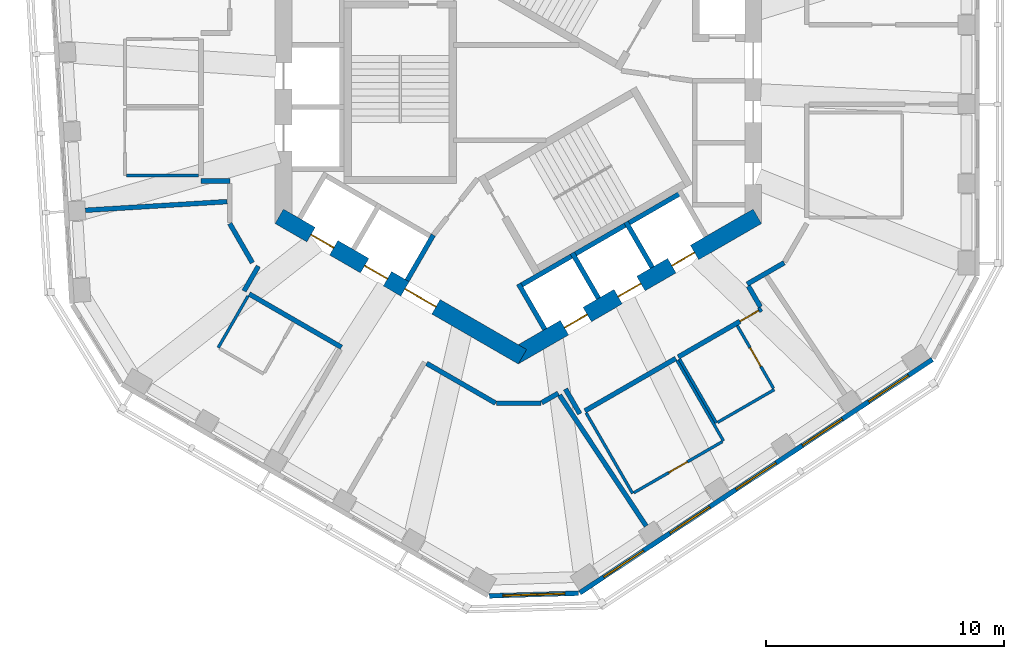
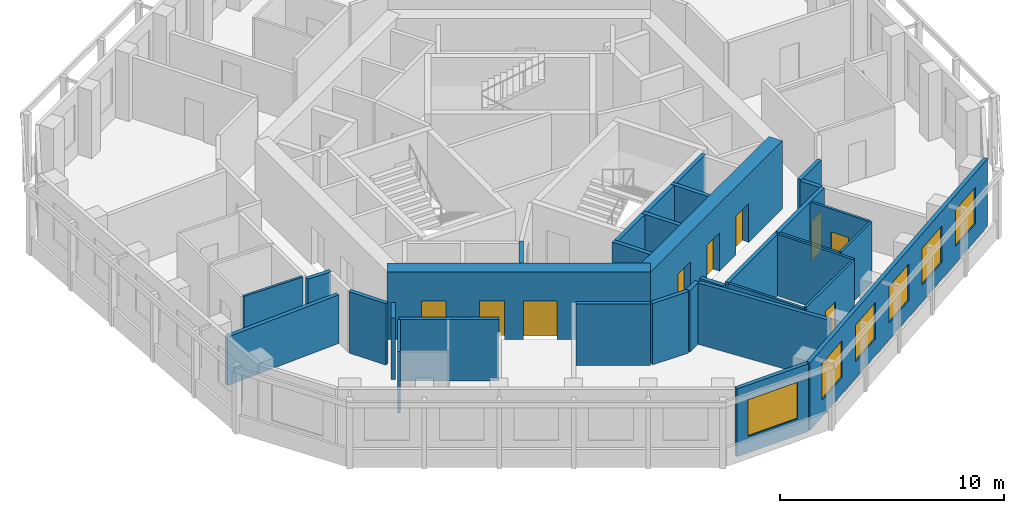
# One storey, part 4 of 11: 31 walls, 9 doors, 6 windows, 15 openings.
"""IFC4 building model written with IfcOpenShell, lengths in metres."""

from ifc_helpers import new_model, si_unit, direction, frame, frame_2d, origin, place, context, subcontext, project, spatial, rectangle, extrude, material, layer, layer_set, type_object, element, fill, save


model = new_model("IFC4")

# Units and contexts
model_context = context("Model", 3, precision=1e-05, world=origin(), true_north=direction((0.0, 1.0)))
body_context = subcontext(model_context, "Body", "Model", "MODEL_VIEW")
ifc_project = project(units=[si_unit("LENGTHUNIT", "METRE"), si_unit("AREAUNIT", "SQUARE_METRE"), si_unit("VOLUMEUNIT", "CUBIC_METRE"), si_unit("PLANEANGLEUNIT", "RADIAN"), si_unit("MASSUNIT", "GRAM", prefix="KILO")], contexts=[model_context])

# Site, building, storey
site_placement = place(None, origin())
site = spatial("IfcSite", under=ifc_project, at=site_placement, CompositionType="ELEMENT")
building_placement = place(site_placement, origin())
building = spatial("IfcBuilding", under=site, at=building_placement, Name="Vanh Sen Convention Tower", CompositionType="ELEMENT")
storey_placement = place(building_placement, frame((0.0, 0.0, 274.60009765625)))
storey = spatial("IfcBuildingStorey", under=building, at=storey_placement, Name="L68", CompositionType="ELEMENT", Elevation=274.60009765625)

# Walls
ifc_material_1 = material(Name="Moisture-resistant gypsum board on steel studs", Category="steel")
ifc_layer_1 = layer(ifc_material_1, 0.1201171875)
ifc_layer_set_1 = layer_set([ifc_layer_1], Name="Moisture-resistant gypsum board on steel studs")
wall_type_1 = type_object("IfcWallType", Name="Bathroom partition 120", PredefinedType="PARTITIONING", material=ifc_layer_set_1)
wall_1_placement = place(storey_placement, frame((-13.40087890625, -3.868896484375, 0.0), z_axis=(0.0, 0.0, 1.0), x_axis=(-1.0, 0.0, 0.0)))
element("IfcWall", 1, at=wall_1_placement, inside=storey, type_object=wall_type_1, Name="Bathroom partition 120", PredefinedType="PARTITIONING", context=body_context, shape_type="SweptSolid", body=[
    extrude(rectangle(XDim=3.0400390625, YDim=0.1201171875, at=frame_2d((1.52001953125, 0.0))), origin(), (0.0, 0.0, 1.0), 3.349853515625),
])
wall_2_placement = place(storey_placement, frame((-12.584716796875, -11.09521484375, 0.0), z_axis=(0.0, 0.0, 1.0), x_axis=(0.500004234368, 0.866022959057, 0.0)))
element("IfcWall", 2, at=wall_2_placement, inside=storey, type_object=wall_type_1, Name="Bathroom partition 120", PredefinedType="PARTITIONING", context=body_context, shape_type="SweptSolid", body=[
    extrude(rectangle(XDim=2.5, YDim=0.1201171875, at=frame_2d((1.25, 0.0))), origin(), (0.0, 0.0, 1.0), 3.349853515625),
])
wall_3_placement = place(storey_placement, frame((4.7958984375, -17.20849609375, 0.0), z_axis=(0.0, 0.0, 1.0), x_axis=(-0.500043961785, 0.866000020948, 0.0)))
element("IfcWall", 3, at=wall_3_placement, inside=storey, type_object=wall_type_1, Name="Bathroom partition 120", PredefinedType="PARTITIONING", context=body_context, shape_type="SweptSolid", body=[
    extrude(rectangle(XDim=3.900146484375, YDim=0.1201171875, at=frame_2d((1.9501953125, 0.0))), origin(), (0.0, 0.0, 1.0), 3.349853515625),
])
wall_4_placement = place(storey_placement, frame((6.65625, -11.631103515625, 0.0), z_axis=(0.0, 0.0, 1.0), x_axis=(0.499997012787, -0.866027128446, 0.0)))
element("IfcWall", 4, at=wall_4_placement, inside=storey, type_object=wall_type_1, Name="Bathroom partition 120", PredefinedType="PARTITIONING", context=body_context, shape_type="SweptSolid", body=[
    extrude(rectangle(XDim=3.89990234375, YDim=0.1201171875, at=frame_2d((1.949951171875, 0.0))), origin(), (0.0, 0.0, 1.0), 3.349853515625),
])
wall_5_placement = place(storey_placement, frame((8.310302734375, -14.255859375, 0.0), z_axis=(0.0, 0.0, 1.0), x_axis=(-0.49999285859, 0.86602952684, 0.0)))
element("IfcWall", 5, at=wall_5_placement, inside=storey, type_object=wall_type_1, Name="Bathroom partition 120", PredefinedType="PARTITIONING", context=body_context, shape_type="SweptSolid", body=[
    extrude(rectangle(XDim=3.10009765625, YDim=0.1201171875, at=frame_2d((1.550048828125, 0.0))), origin(), (0.0, 0.0, 1.0), 3.349853515625),
])

# Wall, opening, door
wall_6_placement = place(storey_placement, frame((8.55419921875, -15.03857421875, 0.0), z_axis=(0.0, 0.0, 1.0), x_axis=(-0.865994635417, -0.500053288589, 0.0)))
wall_6 = element("IfcWall", 6, at=wall_6_placement, inside=storey, type_object=wall_type_1, Name="Bathroom partition 120", PredefinedType="PARTITIONING", context=body_context, shape_type="SweptSolid", body=[
    extrude(rectangle(XDim=4.27978515625, YDim=0.1201171875, at=frame_2d((2.139892578125, 0.0))), origin(), (0.0, 0.0, 1.0), 3.349853515625),
])
opening_1_placement = place(wall_6_placement, frame((1.68994140625, 0.0, 0.0)))
opening_1 = element("IfcOpeningElement", 7, at=opening_1_placement, cuts=wall_6, Name="Opening D67116", PredefinedType="OPENING", context=body_context, shape_type="SweptSolid", body=[
    extrude(rectangle(XDim=0.89990234375, YDim=2.10009765625, at=frame_2d((0.449951171875, 1.050048828125))), frame((0.0, 0.070068359375, 0.0), z_axis=(0.0, -1.0, 0.0), x_axis=(1.0, 0.0, 0.0)), (0.0, 0.0, 1.0), 0.14013671875),
])
ifc_material_2 = material(Name="Laminate door in steel frame", Category="steel")
door_type_1 = type_object("IfcDoorType", Name="Room internal door 900", OperationType="SINGLE_SWING_LEFT", PredefinedType="DOOR", material=ifc_material_2)
door_1_placement = place(opening_1_placement, origin())
door_1 = element("IfcDoor", 8, at=door_1_placement, inside=storey, type_object=door_type_1, Name="Internal room door D67116", OperationType="SINGLE_SWING_LEFT", OverallHeight=2.10009765625, OverallWidth=0.89990234375, PredefinedType="DOOR", context=body_context, shape_type="SweptSolid", body=[
    extrude(rectangle(XDim=0.89990234375, YDim=2.10009765625, at=frame_2d((0.449951171875, 1.050048828125))), frame((0.0, 0.02490234375, 0.0), z_axis=(0.0, -1.0, 0.0), x_axis=(1.0, 0.0, 0.0)), (0.0, 0.0, 1.0), 0.050048828125),
])
fill(opening_1, door_1)

wall_7_placement = place(storey_placement, frame((10.705078125, -12.8037109375, 0.0), z_axis=(0.0, 0.0, 1.0), x_axis=(-0.500026023896, 0.86601037836, 0.0)))
wall_7 = element("IfcWall", 9, at=wall_7_placement, inside=storey, type_object=wall_type_1, Name="Bathroom partition 120", PredefinedType="PARTITIONING", context=body_context, shape_type="SweptSolid", body=[
    extrude(rectangle(XDim=3.039794921875, YDim=0.1201171875, at=frame_2d((1.52001953125, 0.0))), origin(), (0.0, 0.0, 1.0), 3.349853515625),
])
opening_2_placement = place(wall_7_placement, frame((1.070068359375, 0.0, 0.0)))
opening_2 = element("IfcOpeningElement", 10, at=opening_2_placement, cuts=wall_7, Name="Opening D67117", PredefinedType="OPENING", context=body_context, shape_type="SweptSolid", body=[
    extrude(rectangle(XDim=0.89990234375, YDim=2.10009765625, at=frame_2d((0.449951171875, 1.050048828125))), frame((0.0, 0.070068359375, 0.0), z_axis=(0.0, -1.0, 0.0), x_axis=(1.0, 0.0, 0.0)), (0.0, 0.0, 1.0), 0.14013671875),
])
door_2_placement = place(opening_2_placement, origin())
door_2 = element("IfcDoor", 11, at=door_2_placement, inside=storey, type_object=door_type_1, Name="Internal room door D67117", OperationType="SINGLE_SWING_LEFT", OverallHeight=2.10009765625, OverallWidth=0.89990234375, PredefinedType="DOOR", context=body_context, shape_type="SweptSolid", body=[
    extrude(rectangle(XDim=0.89990234375, YDim=2.10009765625, at=frame_2d((0.449951171875, 1.050048828125))), frame((0.0, 0.02490234375, 0.0), z_axis=(0.0, -1.0, 0.0), x_axis=(1.0, 0.0, 0.0)), (0.0, 0.0, 1.0), 0.050048828125),
])
fill(opening_2, door_2)

# Wall
wall_8_placement = place(storey_placement, frame((10.735107421875, -12.855712890625, 0.0), z_axis=(0.0, 0.0, 1.0), x_axis=(-0.865997131366, -0.500048966069, 0.0)))
element("IfcWall", 12, at=wall_8_placement, inside=storey, type_object=wall_type_1, Name="Bathroom partition 120", PredefinedType="PARTITIONING", context=body_context, shape_type="SweptSolid", body=[
    extrude(rectangle(XDim=2.739990234375, YDim=0.1201171875, at=frame_2d((1.3701171875, 0.0))), origin(), (0.0, 0.0, 1.0), 3.349853515625),
])

# Wall, openings, doors
ifc_material_3 = material(Name="Concrete C60/75", Category="concrete")
ifc_layer_2 = layer(ifc_material_3, 0.699951171875)
ifc_layer_set_2 = layer_set([ifc_layer_2], Name="Concrete C60/75")
wall_type_2 = type_object("IfcWallType", Name="Core outer wall 700 C60/75", PredefinedType="SHEAR", material=ifc_layer_set_2)
wall_9_placement = place(storey_placement, frame((-10.02490234375, -5.5859375, 0.0), z_axis=(0.0, 0.0, 1.0), x_axis=(0.866026453023, -0.499998182661, 0.0)))
wall_9 = element("IfcWall", 13, at=wall_9_placement, inside=storey, type_object=wall_type_2, Name="Core wall face SW L68", PredefinedType="SHEAR", context=body_context, shape_type="SweptSolid", body=[
    extrude(rectangle(XDim=11.77783203125, YDim=0.699951171875, at=frame_2d((5.888916015625, 0.0))), origin(), (0.0, 0.0, 1.0), 3.699951171875),
])
opening_3_placement = place(wall_9_placement, frame((6.089111328125, 0.0, 0.0)))
opening_3 = element("IfcOpeningElement", 14, at=opening_3_placement, cuts=wall_9, Name="Opening D67003", PredefinedType="OPENING", context=body_context, shape_type="SweptSolid", body=[
    extrude(rectangle(XDim=1.5, YDim=2.10009765625, at=frame_2d((0.75, 1.050048828125))), frame((0.0, 0.35986328125, 0.0), z_axis=(0.0, -1.0, 0.0), x_axis=(1.0, 0.0, 0.0)), (0.0, 0.0, 1.0), 0.719970703125),
])
opening_4_placement = place(wall_9_placement, frame((1.5390625, 0.0, 0.0)))
opening_4 = element("IfcOpeningElement", 15, at=opening_4_placement, cuts=wall_9, Name="Opening LD-HR3", PredefinedType="OPENING", context=body_context, shape_type="SweptSolid", body=[
    extrude(rectangle(XDim=1.10009765625, YDim=2.10009765625, at=frame_2d((0.550048828125, 1.050048828125))), frame((0.0, 0.35986328125, 0.0), z_axis=(0.0, -1.0, 0.0), x_axis=(1.0, 0.0, 0.0)), (0.0, 0.0, 1.0), 0.719970703125),
])
opening_5_placement = place(wall_9_placement, frame((4.138916015625, 0.0, 0.0)))
opening_5 = element("IfcOpeningElement", 16, at=opening_5_placement, cuts=wall_9, Name="Opening LD-HR4", PredefinedType="OPENING", context=body_context, shape_type="SweptSolid", body=[
    extrude(rectangle(XDim=1.10009765625, YDim=2.10009765625, at=frame_2d((0.550048828125, 1.050048828125))), frame((0.0, 0.35986328125, 0.0), z_axis=(0.0, -1.0, 0.0), x_axis=(1.0, 0.0, 0.0)), (0.0, 0.0, 1.0), 0.719970703125),
])
ifc_material_4 = material(Name="Stainless steel", Category="steel")
door_type_2 = type_object("IfcDoorType", Name="Lift landing door 1100", OperationType="DOUBLE_DOOR_SLIDING", PredefinedType="DOOR", material=ifc_material_4)
door_3_placement = place(opening_4_placement, origin())
door_3 = element("IfcDoor", 17, at=door_3_placement, inside=storey, type_object=door_type_2, Name="Lift HR3 landing door LD-HR3", OperationType="DOUBLE_DOOR_SLIDING", OverallHeight=2.10009765625, OverallWidth=1.10009765625, PredefinedType="DOOR", context=body_context, shape_type="SweptSolid", body=[
    extrude(rectangle(XDim=1.10009765625, YDim=2.10009765625, at=frame_2d((0.550048828125, 1.050048828125))), frame((0.0, 0.02490234375, 0.0), z_axis=(0.0, -1.0, 0.0), x_axis=(1.0, 0.0, 0.0)), (0.0, 0.0, 1.0), 0.050048828125),
])
fill(opening_4, door_3)
door_4_placement = place(opening_5_placement, origin())
door_4 = element("IfcDoor", 18, at=door_4_placement, inside=storey, type_object=door_type_2, Name="Lift HR4 landing door LD-HR4", OperationType="DOUBLE_DOOR_SLIDING", OverallHeight=2.10009765625, OverallWidth=1.10009765625, PredefinedType="DOOR", context=body_context, shape_type="SweptSolid", body=[
    extrude(rectangle(XDim=1.10009765625, YDim=2.10009765625, at=frame_2d((0.550048828125, 1.050048828125))), frame((0.0, 0.02490234375, 0.0), z_axis=(0.0, -1.0, 0.0), x_axis=(1.0, 0.0, 0.0)), (0.0, 0.0, 1.0), 0.050048828125),
])
fill(opening_5, door_4)
ifc_material_5 = material(Name="Steel S355", Category="steel")
door_type_3 = type_object("IfcDoorType", Name="Stair lobby door 1500", OperationType="DOUBLE_DOOR_SINGLE_SWING", PredefinedType="DOOR", material=ifc_material_5)
door_5_placement = place(opening_3_placement, origin())
door_5 = element("IfcDoor", 19, at=door_5_placement, inside=storey, type_object=door_type_3, Name="Stair lobby door D67003", OperationType="DOUBLE_DOOR_SINGLE_SWING", OverallHeight=2.10009765625, OverallWidth=1.5, PredefinedType="DOOR", context=body_context, shape_type="SweptSolid", body=[
    extrude(rectangle(XDim=1.5, YDim=2.10009765625, at=frame_2d((0.75, 1.050048828125))), frame((0.0, 0.02490234375, 0.0), z_axis=(0.0, -1.0, 0.0), x_axis=(1.0, 0.0, 0.0)), (0.0, 0.0, 1.0), 0.050048828125),
])
fill(opening_3, door_5)

wall_10_placement = place(storey_placement, frame((-0.175048828125, -11.474853515625, 0.0), z_axis=(0.0, 0.0, 1.0), x_axis=(0.866026453023, 0.499998182661, 0.0)))
wall_10 = element("IfcWall", 20, at=wall_10_placement, inside=storey, type_object=wall_type_2, Name="Core wall face SE L68", PredefinedType="SHEAR", context=body_context, shape_type="SweptSolid", body=[
    extrude(rectangle(XDim=11.77783203125, YDim=0.699951171875, at=frame_2d((5.888916015625, 0.0))), origin(), (0.0, 0.0, 1.0), 3.699951171875),
])
opening_6_placement = place(wall_10_placement, frame((2.43896484375, 0.0, 0.0)))
opening_6 = element("IfcOpeningElement", 21, at=opening_6_placement, cuts=wall_10, Name="Opening LD-HR5", PredefinedType="OPENING", context=body_context, shape_type="SweptSolid", body=[
    extrude(rectangle(XDim=1.10009765625, YDim=2.10009765625, at=frame_2d((0.550048828125, 1.050048828125))), frame((0.0, 0.35986328125, 0.0), z_axis=(0.0, -1.0, 0.0), x_axis=(1.0, 0.0, 0.0)), (0.0, 0.0, 1.0), 0.719970703125),
])
opening_7_placement = place(wall_10_placement, frame((5.0390625, 0.0, 0.0)))
opening_7 = element("IfcOpeningElement", 22, at=opening_7_placement, cuts=wall_10, Name="Opening LD-HR6", PredefinedType="OPENING", context=body_context, shape_type="SweptSolid", body=[
    extrude(rectangle(XDim=1.10009765625, YDim=2.10009765625, at=frame_2d((0.550048828125, 1.050048828125))), frame((0.0, 0.35986328125, 0.0), z_axis=(0.0, -1.0, 0.0), x_axis=(1.0, 0.0, 0.0)), (0.0, 0.0, 1.0), 0.719970703125),
])
opening_8_placement = place(wall_10_placement, frame((7.638916015625, 0.0, 0.0)))
opening_8 = element("IfcOpeningElement", 23, at=opening_8_placement, cuts=wall_10, Name="Opening LD-SV1", PredefinedType="OPENING", context=body_context, shape_type="SweptSolid", body=[
    extrude(rectangle(XDim=1.10009765625, YDim=2.10009765625, at=frame_2d((0.550048828125, 1.050048828125))), frame((0.0, 0.35986328125, 0.0), z_axis=(0.0, -1.0, 0.0), x_axis=(1.0, 0.0, 0.0)), (0.0, 0.0, 1.0), 0.719970703125),
])
door_6_placement = place(opening_6_placement, origin())
door_6 = element("IfcDoor", 24, at=door_6_placement, inside=storey, type_object=door_type_2, Name="Lift HR5 landing door LD-HR5", OperationType="DOUBLE_DOOR_SLIDING", OverallHeight=2.10009765625, OverallWidth=1.10009765625, PredefinedType="DOOR", context=body_context, shape_type="SweptSolid", body=[
    extrude(rectangle(XDim=1.10009765625, YDim=2.10009765625, at=frame_2d((0.550048828125, 1.050048828125))), frame((0.0, 0.02490234375, 0.0), z_axis=(0.0, -1.0, 0.0), x_axis=(1.0, 0.0, 0.0)), (0.0, 0.0, 1.0), 0.050048828125),
])
fill(opening_6, door_6)
door_7_placement = place(opening_7_placement, origin())
door_7 = element("IfcDoor", 25, at=door_7_placement, inside=storey, type_object=door_type_2, Name="Lift HR6 landing door LD-HR6", OperationType="DOUBLE_DOOR_SLIDING", OverallHeight=2.10009765625, OverallWidth=1.10009765625, PredefinedType="DOOR", context=body_context, shape_type="SweptSolid", body=[
    extrude(rectangle(XDim=1.10009765625, YDim=2.10009765625, at=frame_2d((0.550048828125, 1.050048828125))), frame((0.0, 0.02490234375, 0.0), z_axis=(0.0, -1.0, 0.0), x_axis=(1.0, 0.0, 0.0)), (0.0, 0.0, 1.0), 0.050048828125),
])
fill(opening_7, door_7)
door_8_placement = place(opening_8_placement, origin())
door_8 = element("IfcDoor", 26, at=door_8_placement, inside=storey, type_object=door_type_2, Name="Lift SV1 landing door LD-SV1", OperationType="DOUBLE_DOOR_SLIDING", OverallHeight=2.10009765625, OverallWidth=1.10009765625, PredefinedType="DOOR", context=body_context, shape_type="SweptSolid", body=[
    extrude(rectangle(XDim=1.10009765625, YDim=2.10009765625, at=frame_2d((0.550048828125, 1.050048828125))), frame((0.0, 0.02490234375, 0.0), z_axis=(0.0, -1.0, 0.0), x_axis=(1.0, 0.0, 0.0)), (0.0, 0.0, 1.0), 0.050048828125),
])
fill(opening_8, door_8)

# Walls
ifc_material_6 = material(Name="Gypsum board on steel studs with mineral wool", Category="steel")
ifc_layer_3 = layer(ifc_material_6, 0.199951171875)
ifc_layer_set_3 = layer_set([ifc_layer_3], Name="Gypsum board on steel studs with mineral wool")
wall_type_3 = type_object("IfcWallType", Name="Corridor partition wall 200", PredefinedType="PARTITIONING", material=ifc_layer_set_3)
wall_11_placement = place(storey_placement, frame((-13.301025390625, -4.10107421875, 0.0), z_axis=(0.0, 0.0, 1.0), x_axis=(1.0, 0.0, 0.0)))
element("IfcWall", 27, at=wall_11_placement, inside=storey, type_object=wall_type_3, Name="Corridor partition wall 200", PredefinedType="PARTITIONING", context=body_context, shape_type="SweptSolid", body=[
    extrude(rectangle(XDim=1.200927734375, YDim=0.199951171875, at=frame_2d((0.6005859375, 0.0))), origin(), (0.0, 0.0, 1.0), 3.349853515625),
])
wall_12_placement = place(storey_placement, frame((-12.10009765625, -5.888916015625, 0.0), z_axis=(0.0, 0.0, 1.0), x_axis=(0.500063520245, -0.865988727248, 0.0)))
element("IfcWall", 28, at=wall_12_placement, inside=storey, type_object=wall_type_3, Name="Corridor partition wall 200", PredefinedType="PARTITIONING", context=body_context, shape_type="SweptSolid", body=[
    extrude(rectangle(XDim=1.900146484375, YDim=0.199951171875, at=frame_2d((0.9501953125, 0.0))), origin(), (0.0, 0.0, 1.0), 3.349853515625),
])
wall_13_placement = place(storey_placement, frame((-11.28466796875, -8.843505859375, 0.0), z_axis=(0.0, 0.0, 1.0), x_axis=(0.866021785011, -0.500006267848, 0.0)))
element("IfcWall", 29, at=wall_13_placement, inside=storey, type_object=wall_type_3, Name="Corridor partition wall 200", PredefinedType="PARTITIONING", context=body_context, shape_type="SweptSolid", body=[
    extrude(rectangle(XDim=4.4677734375, YDim=0.199951171875, at=frame_2d((2.23388671875, 0.0))), origin(), (0.0, 0.0, 1.0), 3.349853515625),
])
wall_14_placement = place(storey_placement, frame((-10.900634765625, -7.678466796875, 0.0), z_axis=(0.0, 0.0, 1.0), x_axis=(-0.500074377092, -0.865982457891, 0.0)))
element("IfcWall", 30, at=wall_14_placement, inside=storey, type_object=wall_type_3, Name="Corridor partition wall 200", PredefinedType="PARTITIONING", context=body_context, shape_type="SweptSolid", body=[
    extrude(rectangle(XDim=1.200927734375, YDim=0.199951171875, at=frame_2d((0.6005859375, 0.0))), origin(), (0.0, 0.0, 1.0), 3.349853515625),
])
wall_15_placement = place(storey_placement, frame((-3.84326171875, -11.7529296875, 0.0), z_axis=(0.0, 0.0, 1.0), x_axis=(0.866031037473, -0.499990242038, 0.0)))
element("IfcWall", 31, at=wall_15_placement, inside=storey, type_object=wall_type_3, Name="Corridor partition wall 200", PredefinedType="PARTITIONING", context=body_context, shape_type="SweptSolid", body=[
    extrude(rectangle(XDim=3.3408203125, YDim=0.199951171875, at=frame_2d((1.67041015625, 0.0))), origin(), (0.0, 0.0, 1.0), 3.349853515625),
])
wall_16_placement = place(storey_placement, frame((-0.909912109375, -13.42333984375, 0.0), z_axis=(0.0, 0.0, 1.0), x_axis=(1.0, 0.0, 0.0)))
element("IfcWall", 32, at=wall_16_placement, inside=storey, type_object=wall_type_3, Name="Corridor partition wall 200", PredefinedType="PARTITIONING", context=body_context, shape_type="SweptSolid", body=[
    extrude(rectangle(XDim=1.85986328125, YDim=0.199951171875, at=frame_2d((0.929931640625, 0.0))), origin(), (0.0, 0.0, 1.0), 3.349853515625),
])
wall_17_placement = place(storey_placement, frame((0.984619140625, -13.4033203125, 0.0), z_axis=(0.0, 0.0, 1.0), x_axis=(0.866032814021, 0.499987164874, 0.0)))
element("IfcWall", 33, at=wall_17_placement, inside=storey, type_object=wall_type_3, Name="Corridor partition wall 200", PredefinedType="PARTITIONING", context=body_context, shape_type="SweptSolid", body=[
    extrude(rectangle(XDim=0.79833984375, YDim=0.199951171875, at=frame_2d((0.399169921875, 0.0))), origin(), (0.0, 0.0, 1.0), 3.349853515625),
])
wall_18_placement = place(storey_placement, frame((1.978759765625, -12.829345703125, 0.0), z_axis=(0.0, 0.0, 1.0), x_axis=(0.500074377092, -0.865982457891, 0.0)))
element("IfcWall", 34, at=wall_18_placement, inside=storey, type_object=wall_type_3, Name="Corridor partition wall 200", PredefinedType="PARTITIONING", context=body_context, shape_type="SweptSolid", body=[
    extrude(rectangle(XDim=1.200927734375, YDim=0.199951171875, at=frame_2d((0.6005859375, 0.0))), origin(), (0.0, 0.0, 1.0), 3.349853515625),
])
wall_19_placement = place(storey_placement, frame((2.7958984375, -13.744384765625, 0.0), z_axis=(0.0, 0.0, 1.0), x_axis=(0.866018331238, 0.50001224981, 0.0)))
element("IfcWall", 35, at=wall_19_placement, inside=storey, type_object=wall_type_3, Name="Corridor partition wall 200", PredefinedType="PARTITIONING", context=body_context, shape_type="SweptSolid", body=[
    extrude(rectangle(XDim=4.39990234375, YDim=0.199951171875, at=frame_2d((2.199951171875, 0.0))), origin(), (0.0, 0.0, 1.0), 3.349853515625),
])

# Wall, opening, door
wall_20_placement = place(storey_placement, frame((6.710205078125, -11.484619140625, 0.0), z_axis=(0.0, 0.0, 1.0), x_axis=(0.866021232452, 0.500007224889, 0.0)))
wall_20 = element("IfcWall", 36, at=wall_20_placement, inside=storey, type_object=wall_type_3, Name="Corridor partition wall 200", PredefinedType="PARTITIONING", context=body_context, shape_type="SweptSolid", body=[
    extrude(rectangle(XDim=4.0322265625, YDim=0.199951171875, at=frame_2d((2.01611328125, 0.0))), origin(), (0.0, 0.0, 1.0), 3.349853515625),
])
opening_9_placement = place(wall_20_placement, frame((2.990966796875, 0.0, 0.0)))
opening_9 = element("IfcOpeningElement", 37, at=opening_9_placement, cuts=wall_20, Name="Opening D67115", PredefinedType="OPENING", context=body_context, shape_type="SweptSolid", body=[
    extrude(rectangle(XDim=0.89990234375, YDim=2.10009765625, at=frame_2d((0.449951171875, 1.050048828125))), frame((0.0, 0.10986328125, 0.0), z_axis=(0.0, -1.0, 0.0), x_axis=(1.0, 0.0, 0.0)), (0.0, 0.0, 1.0), 0.219970703125),
])
ifc_material_7 = material(Name="Glazed fire door in steel frame", Category="steel")
door_type_4 = type_object("IfcDoorType", Name="Tenant entrance door 900", OperationType="SINGLE_SWING_LEFT", PredefinedType="DOOR", material=ifc_material_7)
door_9_placement = place(opening_9_placement, origin())
door_9 = element("IfcDoor", 38, at=door_9_placement, inside=storey, type_object=door_type_4, Name="Tenant suite entrance door D67115", OperationType="SINGLE_SWING_LEFT", OverallHeight=2.10009765625, OverallWidth=0.89990234375, PredefinedType="DOOR", context=body_context, shape_type="SweptSolid", body=[
    extrude(rectangle(XDim=0.89990234375, YDim=2.10009765625, at=frame_2d((0.449951171875, 1.050048828125))), frame((0.0, 0.02490234375, 0.0), z_axis=(0.0, -1.0, 0.0), x_axis=(1.0, 0.0, 0.0)), (0.0, 0.0, 1.0), 0.050048828125),
])
fill(opening_9, door_9)

# Walls
wall_21_placement = place(storey_placement, frame((9.6015625, -8.428466796875, 0.0), z_axis=(0.0, 0.0, 1.0), x_axis=(0.865999114786, 0.500045531117, 0.0)))
element("IfcWall", 39, at=wall_21_placement, inside=storey, type_object=wall_type_3, Name="Corridor partition wall 200", PredefinedType="PARTITIONING", context=body_context, shape_type="SweptSolid", body=[
    extrude(rectangle(XDim=1.787841796875, YDim=0.199951171875, at=frame_2d((0.89404296875, 0.0))), origin(), (0.0, 0.0, 1.0), 3.349853515625),
])
wall_22_placement = place(storey_placement, frame((10.152099609375, -9.3818359375, 0.0), z_axis=(0.0, 0.0, 1.0), x_axis=(-0.499968756647, 0.866043441391, 0.0)))
element("IfcWall", 40, at=wall_22_placement, inside=storey, type_object=wall_type_3, Name="Corridor partition wall 200", PredefinedType="PARTITIONING", context=body_context, shape_type="SweptSolid", body=[
    extrude(rectangle(XDim=1.0009765625, YDim=0.199951171875, at=frame_2d((0.50048828125, 0.0))), origin(), (0.0, 0.0, 1.0), 3.349853515625),
])

# Wall, opening, window
ifc_material_8 = material(Name="Insulated lightweight infill wall")
ifc_layer_4 = layer(ifc_material_8, 0.199951171875)
ifc_layer_set_4 = layer_set([ifc_layer_4], Name="Insulated lightweight infill wall")
wall_type_4 = type_object("IfcWallType", Name="External wall 200", PredefinedType="STANDARD", material=ifc_layer_set_4)
wall_23_placement = place(storey_placement, frame((-1.21728515625, -21.508056640625, 0.0), z_axis=(0.0, 0.0, 1.0), x_axis=(0.99953295295, 0.030559384285, 0.0)))
wall_23 = element("IfcWall", 41, at=wall_23_placement, inside=storey, type_object=wall_type_4, Name="External wall CH5 L68", PredefinedType="STANDARD", context=body_context, shape_type="SweptSolid", body=[
    extrude(rectangle(XDim=3.746826171875, YDim=0.199951171875, at=frame_2d((1.87353515625, 0.0))), origin(), (0.0, 0.0, 1.0), 3.699951171875),
])
opening_10_placement = place(wall_23_placement, frame((0.573486328125, 0.0, 0.89990234375)))
opening_10 = element("IfcOpeningElement", 42, at=opening_10_placement, cuts=wall_23, Name="Opening WO6-CH51", PredefinedType="OPENING", context=body_context, shape_type="SweptSolid", body=[
    extrude(rectangle(XDim=2.60009765625, YDim=2.0, at=frame_2d((1.300048828125, 1.0))), frame((0.0, 0.10986328125, 0.0), z_axis=(0.0, -1.0, 0.0), x_axis=(1.0, 0.0, 0.0)), (0.0, 0.0, 1.0), 0.219970703125),
])
ifc_material_9 = material(Name="Aluminium frame with clear low-emissivity glass", Category="aluminium")
window_type_1 = type_object("IfcWindowType", Name="Office window 2600 x 2000", PartitioningType="SINGLE_PANEL", PredefinedType="WINDOW", material=ifc_material_9)
window_1_placement = place(opening_10_placement, origin())
window_1 = element("IfcWindow", 43, at=window_1_placement, inside=storey, type_object=window_type_1, Name="Window WO6-CH51", OverallHeight=2.0, OverallWidth=2.60009765625, PartitioningType="SINGLE_PANEL", PredefinedType="WINDOW", context=body_context, shape_type="SweptSolid", body=[
    extrude(rectangle(XDim=2.60009765625, YDim=2.0, at=frame_2d((1.300048828125, 1.0))), frame((0.0, 0.030029296875, 0.0), z_axis=(0.0, -1.0, 0.0), x_axis=(1.0, 0.0, 0.0)), (0.0, 0.0, 1.0), 0.06005859375),
])
fill(opening_10, window_1)

# Wall, openings, windows
wall_24_placement = place(storey_placement, frame((2.580078125, -21.376953125, 0.0), z_axis=(0.0, 0.0, 1.0), x_axis=(0.833888592176, 0.551932800112, 0.0)))
wall_24 = element("IfcWall", 44, at=wall_24_placement, inside=storey, type_object=wall_type_4, Name="External wall SE L68", PredefinedType="STANDARD", context=body_context, shape_type="SweptSolid", body=[
    extrude(rectangle(XDim=17.7314453125, YDim=0.199951171875, at=frame_2d((8.86572265625, 0.0))), origin(), (0.0, 0.0, 1.0), 3.699951171875),
])
opening_11_placement = place(wall_24_placement, frame((1.20166015625, 0.0, 0.89990234375)))
opening_11 = element("IfcOpeningElement", 45, at=opening_11_placement, cuts=wall_24, Name="Opening WO5-SE1", PredefinedType="OPENING", context=body_context, shape_type="SweptSolid", body=[
    extrude(rectangle(XDim=2.0, YDim=2.0, at=frame_2d((1.0, 1.0))), frame((0.0, 0.10986328125, 0.0), z_axis=(0.0, -1.0, 0.0), x_axis=(1.0, 0.0, 0.0)), (0.0, 0.0, 1.0), 0.219970703125),
])
opening_12_placement = place(wall_24_placement, frame((4.533203125, 0.0, 0.89990234375)))
opening_12 = element("IfcOpeningElement", 46, at=opening_12_placement, cuts=wall_24, Name="Opening WO5-SE2", PredefinedType="OPENING", context=body_context, shape_type="SweptSolid", body=[
    extrude(rectangle(XDim=2.0, YDim=2.0, at=frame_2d((1.0, 1.0))), frame((0.0, 0.10986328125, 0.0), z_axis=(0.0, -1.0, 0.0), x_axis=(1.0, 0.0, 0.0)), (0.0, 0.0, 1.0), 0.219970703125),
])
opening_13_placement = place(wall_24_placement, frame((7.864990234375, 0.0, 0.89990234375)))
opening_13 = element("IfcOpeningElement", 47, at=opening_13_placement, cuts=wall_24, Name="Opening WO5-SE3", PredefinedType="OPENING", context=body_context, shape_type="SweptSolid", body=[
    extrude(rectangle(XDim=2.0, YDim=2.0, at=frame_2d((1.0, 1.0))), frame((0.0, 0.10986328125, 0.0), z_axis=(0.0, -1.0, 0.0), x_axis=(1.0, 0.0, 0.0)), (0.0, 0.0, 1.0), 0.219970703125),
])
opening_14_placement = place(wall_24_placement, frame((11.196533203125, 0.0, 0.89990234375)))
opening_14 = element("IfcOpeningElement", 48, at=opening_14_placement, cuts=wall_24, Name="Opening WO5-SE4", PredefinedType="OPENING", context=body_context, shape_type="SweptSolid", body=[
    extrude(rectangle(XDim=2.0, YDim=2.0, at=frame_2d((1.0, 1.0))), frame((0.0, 0.10986328125, 0.0), z_axis=(0.0, -1.0, 0.0), x_axis=(1.0, 0.0, 0.0)), (0.0, 0.0, 1.0), 0.219970703125),
])
opening_15_placement = place(wall_24_placement, frame((14.528076171875, 0.0, 0.89990234375)))
opening_15 = element("IfcOpeningElement", 49, at=opening_15_placement, cuts=wall_24, Name="Opening WO5-SE5", PredefinedType="OPENING", context=body_context, shape_type="SweptSolid", body=[
    extrude(rectangle(XDim=2.0, YDim=2.0, at=frame_2d((1.0, 1.0))), frame((0.0, 0.10986328125, 0.0), z_axis=(0.0, -1.0, 0.0), x_axis=(1.0, 0.0, 0.0)), (0.0, 0.0, 1.0), 0.219970703125),
])
window_type_2 = type_object("IfcWindowType", Name="Office window 2000 x 2000", PartitioningType="SINGLE_PANEL", PredefinedType="WINDOW", material=ifc_material_9)
window_2_placement = place(opening_11_placement, origin())
window_2 = element("IfcWindow", 50, at=window_2_placement, inside=storey, type_object=window_type_2, Name="Window WO5-SE1", OverallHeight=2.0, OverallWidth=2.0, PartitioningType="SINGLE_PANEL", PredefinedType="WINDOW", context=body_context, shape_type="SweptSolid", body=[
    extrude(rectangle(XDim=2.0, YDim=2.0, at=frame_2d((1.0, 1.0))), frame((0.0, 0.030029296875, 0.0), z_axis=(0.0, -1.0, 0.0), x_axis=(1.0, 0.0, 0.0)), (0.0, 0.0, 1.0), 0.06005859375),
])
fill(opening_11, window_2)
window_3_placement = place(opening_12_placement, origin())
window_3 = element("IfcWindow", 51, at=window_3_placement, inside=storey, type_object=window_type_2, Name="Window WO5-SE2", OverallHeight=2.0, OverallWidth=2.0, PartitioningType="SINGLE_PANEL", PredefinedType="WINDOW", context=body_context, shape_type="SweptSolid", body=[
    extrude(rectangle(XDim=2.0, YDim=2.0, at=frame_2d((1.0, 1.0))), frame((0.0, 0.030029296875, 0.0), z_axis=(0.0, -1.0, 0.0), x_axis=(1.0, 0.0, 0.0)), (0.0, 0.0, 1.0), 0.06005859375),
])
fill(opening_12, window_3)
window_4_placement = place(opening_13_placement, origin())
window_4 = element("IfcWindow", 52, at=window_4_placement, inside=storey, type_object=window_type_2, Name="Window WO5-SE3", OverallHeight=2.0, OverallWidth=2.0, PartitioningType="SINGLE_PANEL", PredefinedType="WINDOW", context=body_context, shape_type="SweptSolid", body=[
    extrude(rectangle(XDim=2.0, YDim=2.0, at=frame_2d((1.0, 1.0))), frame((0.0, 0.030029296875, 0.0), z_axis=(0.0, -1.0, 0.0), x_axis=(1.0, 0.0, 0.0)), (0.0, 0.0, 1.0), 0.06005859375),
])
fill(opening_13, window_4)
window_5_placement = place(opening_14_placement, origin())
window_5 = element("IfcWindow", 53, at=window_5_placement, inside=storey, type_object=window_type_2, Name="Window WO5-SE4", OverallHeight=2.0, OverallWidth=2.0, PartitioningType="SINGLE_PANEL", PredefinedType="WINDOW", context=body_context, shape_type="SweptSolid", body=[
    extrude(rectangle(XDim=2.0, YDim=2.0, at=frame_2d((1.0, 1.0))), frame((0.0, 0.030029296875, 0.0), z_axis=(0.0, -1.0, 0.0), x_axis=(1.0, 0.0, 0.0)), (0.0, 0.0, 1.0), 0.06005859375),
])
fill(opening_14, window_5)
window_6_placement = place(opening_15_placement, origin())
window_6 = element("IfcWindow", 54, at=window_6_placement, inside=storey, type_object=window_type_2, Name="Window WO5-SE5", OverallHeight=2.0, OverallWidth=2.0, PartitioningType="SINGLE_PANEL", PredefinedType="WINDOW", context=body_context, shape_type="SweptSolid", body=[
    extrude(rectangle(XDim=2.0, YDim=2.0, at=frame_2d((1.0, 1.0))), frame((0.0, 0.030029296875, 0.0), z_axis=(0.0, -1.0, 0.0), x_axis=(1.0, 0.0, 0.0)), (0.0, 0.0, 1.0), 0.06005859375),
])
fill(opening_15, window_6)

# Walls
ifc_material_10 = material(Name="Concrete C40/50", Category="concrete")
ifc_layer_5 = layer(ifc_material_10, 0.199951171875)
ifc_layer_set_5 = layer_set([ifc_layer_5], Name="Concrete C40/50")
wall_type_5 = type_object("IfcWallType", Name="Lift shaft wall 200", PredefinedType="PARTITIONING", material=ifc_layer_set_5)
wall_25_placement = place(storey_placement, frame((-3.5634765625, -6.3720703125, 0.0), z_axis=(0.0, 0.0, 1.0), x_axis=(-0.499994660107, -0.866028486751, 0.0)))
element("IfcWall", 55, at=wall_25_placement, inside=storey, type_object=wall_type_5, Name="Lift shaft wall L68", PredefinedType="PARTITIONING", context=body_context, shape_type="SweptSolid", body=[
    extrude(rectangle(XDim=2.19970703125, YDim=0.199951171875, at=frame_2d((1.099853515625, 0.0))), origin(), (0.0, 0.0, 1.0), 3.349853515625),
])
wall_26_placement = place(storey_placement, frame((-0.02392578125, -8.55859375, 0.0), z_axis=(0.0, 0.0, 1.0), x_axis=(0.866026010844, 0.49999894854, 0.0)))
element("IfcWall", 56, at=wall_26_placement, inside=storey, type_object=wall_type_5, Name="Lift shaft wall L68", PredefinedType="PARTITIONING", context=body_context, shape_type="SweptSolid", body=[
    extrude(rectangle(XDim=8.0, YDim=0.199951171875, at=frame_2d((4.0, 0.0))), origin(), (0.0, 0.0, 1.0), 3.349853515625),
])
for number, where, z_axis, x_axis, name in (
    (57, (0.0126953125, -8.422119140625, 0.0), (0.0, 0.0, 1.0), (0.500077893725, -0.86598042715, 0.0), "Lift shaft wall L68"),
    (58, (2.264404296875, -7.1220703125, 0.0), (0.0, 0.0, 1.0), (0.500077893725, -0.86598042715, 0.0), "Lift shaft wall L68"),
    (59, (4.51611328125, -5.822021484375, 0.0), (0.0, 0.0, 1.0), (0.499946605688, -0.86605622881, 0.0), "Lift shaft wall L68"),
):
    element("IfcWall", number, at=place(storey_placement, frame(where, z_axis=z_axis, x_axis=x_axis)), inside=storey, type_object=wall_type_5, Name=name, PredefinedType="PARTITIONING", context=body_context, shape_type="SweptSolid", body=[
        extrude(rectangle(XDim=2.199951171875, YDim=0.199951171875, at=frame_2d((1.10009765625, 0.0))), origin(), (0.0, 0.0, 1.0), 3.349853515625),
    ])
ifc_layer_6 = layer(ifc_material_6, 0.199951171875)
ifc_layer_set_6 = layer_set([ifc_layer_6], Name="Gypsum board on steel studs with mineral wool")
wall_type_6 = type_object("IfcWallType", Name="Tenant suite wall 200", PredefinedType="PARTITIONING", material=ifc_layer_set_6)
wall_27_placement = place(storey_placement, frame((-18.158203125, -5.33349609375, 0.0), z_axis=(0.0, 0.0, 1.0), x_axis=(0.998135365626, 0.061039265125, 0.0)))
element("IfcWall", 60, at=wall_27_placement, inside=storey, type_object=wall_type_6, Name="Tenant suite wall 200", PredefinedType="PARTITIONING", context=body_context, shape_type="SweptSolid", body=[
    extrude(rectangle(XDim=5.959716796875, YDim=0.199951171875, at=frame_2d((2.97998046875, 0.0))), origin(), (0.0, 0.0, 1.0), 2.64990234375),
])
wall_28_placement = place(storey_placement, frame((5.363525390625, -18.5751953125, 0.0), z_axis=(0.0, 0.0, 1.0), x_axis=(-0.55195757761, 0.833872191957, 0.0)))
element("IfcWall", 61, at=wall_28_placement, inside=storey, type_object=wall_type_6, Name="Tenant suite wall 200", PredefinedType="PARTITIONING", context=body_context, shape_type="SweptSolid", body=[
    extrude(rectangle(XDim=6.580810546875, YDim=0.199951171875, at=frame_2d((3.29052734375, 0.0))), origin(), (0.0, 0.0, 1.0), 3.349853515625),
])

save(model, "model.ifc")
